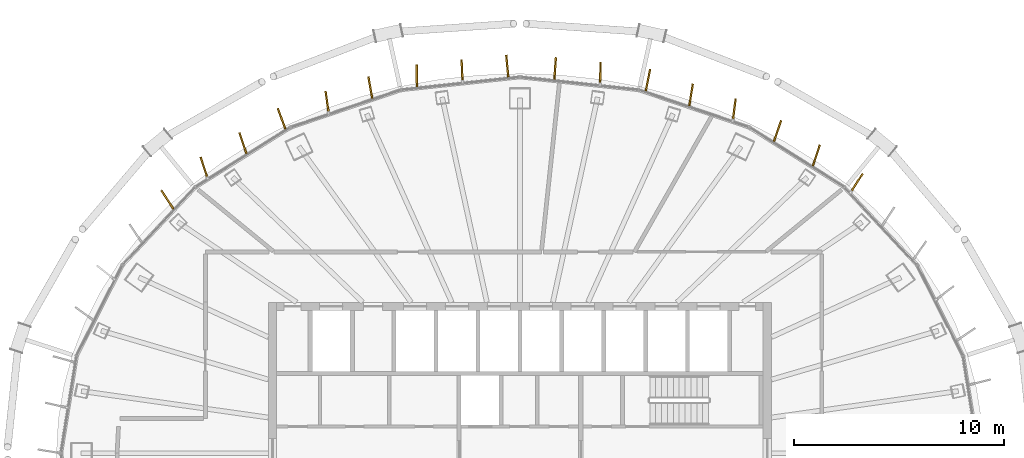
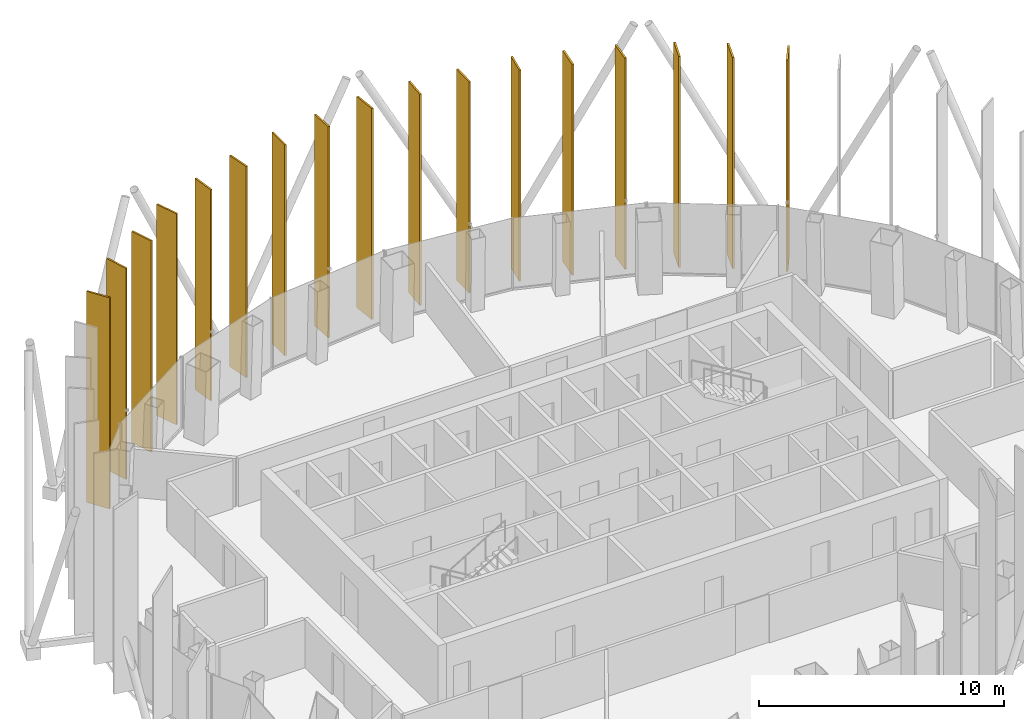
# One storey, part 19 of 19: 17 shading devices.
"""IFC4 building model written with IfcOpenShell, lengths in metres."""

from ifc_helpers import new_model, si_unit, direction, frame, origin, origin_2d, place, context, subcontext, project, spatial, rectangle, extrude, material, layer, layer_set, type_object, element, save


model = new_model("IFC4")

# Units and contexts
model_context = context("Model", 3, precision=1e-05, world=origin(), true_north=direction((0.0, 1.0)))
body_context = subcontext(model_context, "Body", "Model", "MODEL_VIEW")
ifc_project = project(units=[si_unit("LENGTHUNIT", "METRE"), si_unit("AREAUNIT", "SQUARE_METRE"), si_unit("VOLUMEUNIT", "CUBIC_METRE"), si_unit("PLANEANGLEUNIT", "RADIAN"), si_unit("MASSUNIT", "GRAM", prefix="KILO")], contexts=[model_context])

# Site, building, storey
site_placement = place(None, origin())
site = spatial("IfcSite", under=ifc_project, at=site_placement, CompositionType="ELEMENT")
building_placement = place(site_placement, origin())
building = spatial("IfcBuilding", under=site, at=building_placement, Name="Siaravel Broadcast Tower", CompositionType="ELEMENT")
storey_placement = place(building_placement, frame((0.0, 0.0, 217.10009765625)))
storey = spatial("IfcBuildingStorey", under=building, at=storey_placement, Name="L52", CompositionType="ELEMENT", Elevation=217.10009765625)

# Shading devices
ifc_material = material(Name="Bronze anodised aluminium", Category="aluminium")
ifc_layer = layer(ifc_material, 0.080078125)
ifc_layer_set = layer_set([ifc_layer], Name="Bronze anodised aluminium")
shading_device_type = type_object("IfcShadingDeviceType", Name="Bronze fin zone 4", PredefinedType="USERDEFINED", material=ifc_layer_set)
for number, where, z_axis, x_axis, name in (
    (1, (16.06787109375, 12.89501953125, 0.2998046875), (0.0, 0.0, 1.0), (0.542884266, 0.839807522, 0.0), "Bronze fin L52-07"),
    (2, (14.1396484375, 14.206298828125, 0.2998046875), (0.0, 0.0, 1.0), (0.315175353, 0.949033454, 0.0), "Bronze fin L52-08"),
    (3, (12.289306640625, 15.371337890625, 0.2998046875), (0.0, 0.0, 1.0), (0.329188036, 0.944264389, 0.0), "Bronze fin L52-09"),
    (4, (10.2255859375, 16.392333984375, 0.2998046875), (0.0, 0.0, 1.0), (0.125568723, 0.992084924, 0.0), "Bronze fin L52-10"),
    (5, (8.1650390625, 17.094970703125, 0.2998046875), (0.0, 0.0, 1.0), (0.157970218, 0.987443877, 0.0), "Bronze fin L52-11"),
    (6, (6.10791015625, 17.796142578125, 0.2998046875), (0.0, 0.0, 1.0), (0.197130356, 0.980377286, 0.0), "Bronze fin L52-12"),
    (7, (3.836669921875, 18.1171875, 0.2998046875), (0.0, 0.0, 1.0), (0.022917657, 0.999737356, 0.0), "Bronze fin L52-13"),
    (8, (1.680419921875, 18.351318359375, 0.2998046875), (0.0, 0.0, 1.0), (0.070700107, 0.997497617, 0.0), "Bronze fin L52-14"),
    (9, (-0.6025390625, 18.4677734375, 0.2998046875), (0.0, 0.0, 1.0), (-0.09507784, 0.995469841, 0.0), "Bronze fin L52-15"),
    (10, (-2.75830078125, 18.234375, 0.2998046875), (0.0, 0.0, 1.0), (-0.046517176, 0.99891749, 0.0), "Bronze fin L52-16"),
    (11, (-4.915283203125, 17.99951171875, 0.2998046875), (0.0, 0.0, 1.0), (-0.000274017, 0.999999962, 0.0), "Bronze fin L52-17"),
    (12, (-7.13623046875, 17.445556640625, 0.2998046875), (0.0, 0.0, 1.0), (-0.176870018, 0.984234218, 0.0), "Bronze fin L52-18"),
    (13, (-9.19482421875, 16.743896484375, 0.2998046875), (0.0, 0.0, 1.0), (-0.140775093, 0.990041602, 0.0), "Bronze fin L52-19"),
    (14, (-11.3662109375, 15.953125, 0.2998046875), (0.0, 0.0, 1.0), (-0.339818229, 0.940491133, 0.0), "Bronze fin L52-20"),
    (15, (-13.2138671875, 14.7890625, 0.2998046875), (0.0, 0.0, 1.0), (-0.320907244, 0.947110628, 0.0), "Bronze fin L52-21"),
    (16, (-15.06689453125, 13.623046875, 0.2998046875), (0.0, 0.0, 1.0), (-0.312094496, 0.950051065, 0.0), "Bronze fin L52-22"),
    (17, (-16.819091796875, 12.093505859375, 0.2998046875), (0.0, 0.0, 1.0), (-0.545059065, 0.838397648, 0.0), "Bronze fin L52-23"),
):
    element("IfcShadingDevice", number, at=place(storey_placement, frame(where, z_axis=z_axis, x_axis=x_axis)), inside=storey, type_object=shading_device_type, Name=name, ObjectType="FIN", PredefinedType="USERDEFINED", context=body_context, shape_type="SweptSolid", body=[
        extrude(rectangle(XDim=1.050048828125, YDim=0.080078125, at=origin_2d()), origin(), (0.0, 0.0, 1.0), 10.5),
    ])

save(model, "model.ifc")
